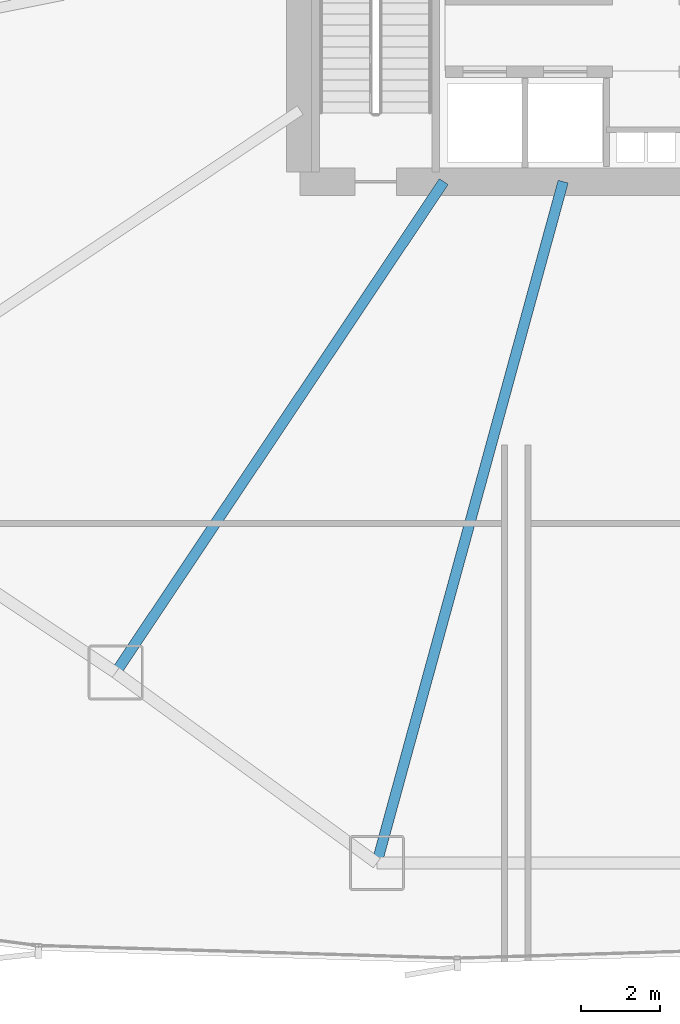
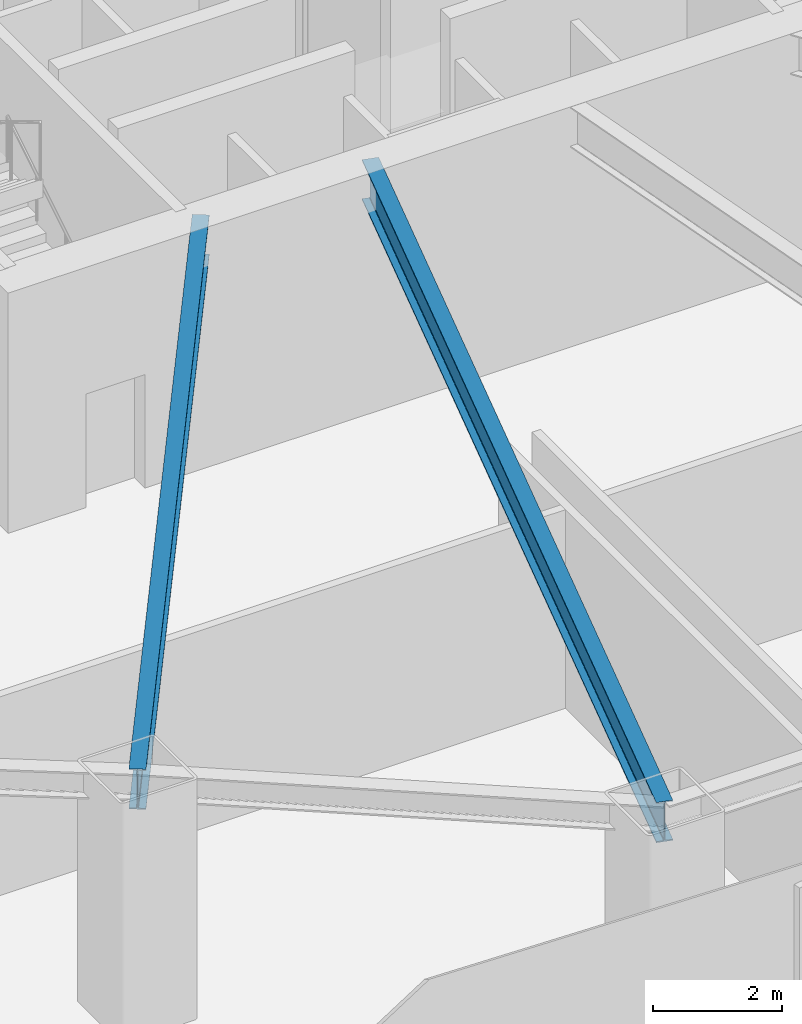
# One storey, part 7 of 34: 2 beams.
"""IFC4 building model written with IfcOpenShell, lengths in metres."""

from ifc_helpers import new_model, si_unit, direction, frame, origin, origin_2d, place, context, subcontext, project, spatial, i_section, extrude, source, transform, mapped, material, material_profile, profile_set, type_object, element, save


model = new_model("IFC4")

# Units and contexts
model_context = context("Model", 3, precision=1e-05, world=origin(), true_north=direction((0.0, 1.0)))
body_context = subcontext(model_context, "Body", "Model", "MODEL_VIEW")
ifc_project = project(units=[si_unit("LENGTHUNIT", "METRE"), si_unit("AREAUNIT", "SQUARE_METRE"), si_unit("VOLUMEUNIT", "CUBIC_METRE"), si_unit("PLANEANGLEUNIT", "RADIAN"), si_unit("MASSUNIT", "GRAM", prefix="KILO"), si_unit("THERMODYNAMICTEMPERATUREUNIT", "KELVIN")], contexts=[model_context])

# Site, building, storey
site_placement = place(None, origin())
site = spatial("IfcSite", under=ifc_project, at=site_placement, CompositionType="ELEMENT")
building_placement = place(site_placement, origin())
building = spatial("IfcBuilding", under=site, at=building_placement, Name="Kethvar Cultural Tower", CompositionType="ELEMENT")
storey_placement = place(building_placement, frame((0.0, 0.0, 5.199951171875)))
storey = spatial("IfcBuildingStorey", under=building, at=storey_placement, Name="L01", CompositionType="ELEMENT", Elevation=5.199951171875)

# Beams
ifc_material = material(Name="Steel S355J2", Category="steel")
ifc_material_profile = material_profile(ifc_material, i_section(OverallWidth=0.26708984375, OverallDepth=0.761962890625, WebThickness=0.014404296875, FlangeThickness=0.021484375, FilletRadius=0.01708984375, at=origin_2d()), Name="Steel S355J2 — IPE750x173")
ifc_profile_set = profile_set([ifc_material_profile], Name="Steel S355J2 — IPE750x173")
beam_type = type_object("IfcBeamType", Name="BM-IPE750", PredefinedType="BEAM", material=ifc_profile_set)
shared_shape_1 = source(origin(), body_context, "Body", "SweptSolid", [
    extrude(i_section(OverallWidth=0.26708984375, OverallDepth=0.761962890625, WebThickness=0.014404296875, FlangeThickness=0.021484375, FilletRadius=0.01708984375, at=origin_2d()), origin(), (0.0, 0.0, 1.0), 17.987060546875),
])
beam_1_placement = place(storey_placement, frame((44.6943359375, 20.10009765625, 4.1669921875), z_axis=(-0.26376624534, -0.964586630541, 0.0), x_axis=(0.964586630541, -0.26376624534, 0.0)))
element("IfcBeam", 1, at=beam_1_placement, inside=storey, type_object=beam_type, Name="L01 Podium Radial Girder 12", PredefinedType="BEAM", context=body_context, shape_type="MappedRepresentation", body=[
    mapped(shared_shape_1, transform((0.0, 0.0, 0.0), scale=1.0)),
])
shared_shape_2 = source(origin(), body_context, "Body", "SweptSolid", [
    extrude(i_section(OverallWidth=0.26708984375, OverallDepth=0.761962890625, WebThickness=0.014404296875, FlangeThickness=0.021484375, FilletRadius=0.01708984375, at=origin_2d()), origin(), (0.0, 0.0, 1.0), 15.03515625),
])
beam_2_placement = place(storey_placement, frame((41.655029296875, 20.10009765625, 4.1669921875), z_axis=(-0.555569254616, -0.83147026605, 0.0), x_axis=(0.83147026605, -0.555569254616, 0.0)))
element("IfcBeam", 2, at=beam_2_placement, inside=storey, type_object=beam_type, Name="L01 Podium Radial Girder 11", PredefinedType="BEAM", context=body_context, shape_type="MappedRepresentation", body=[
    mapped(shared_shape_2, transform((0.0, 0.0, 0.0), scale=1.0)),
])

save(model, "model.ifc")
